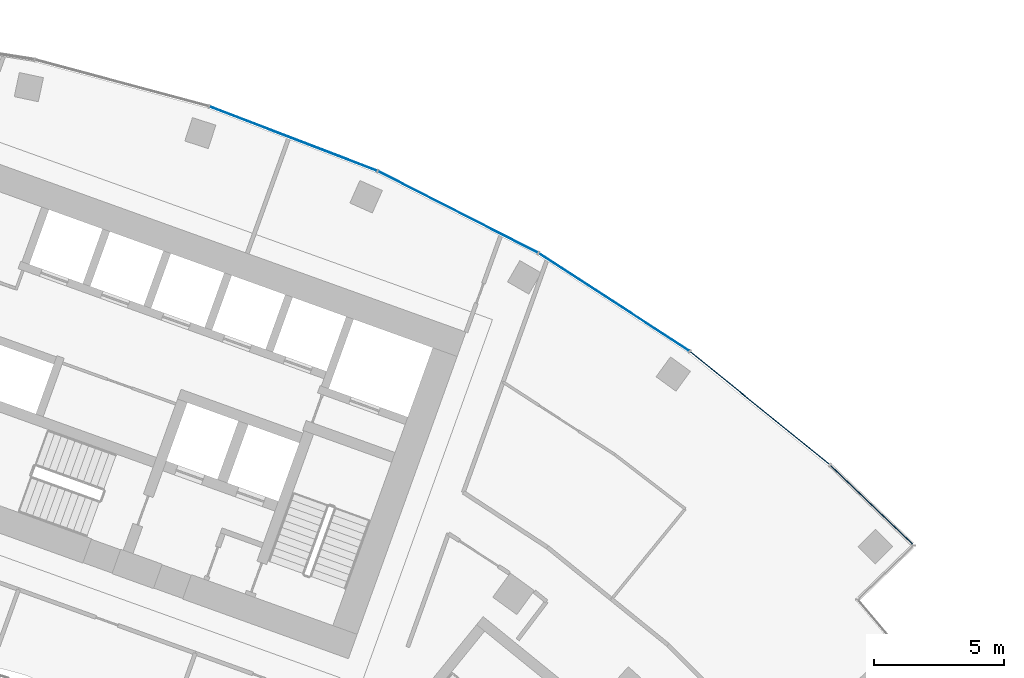
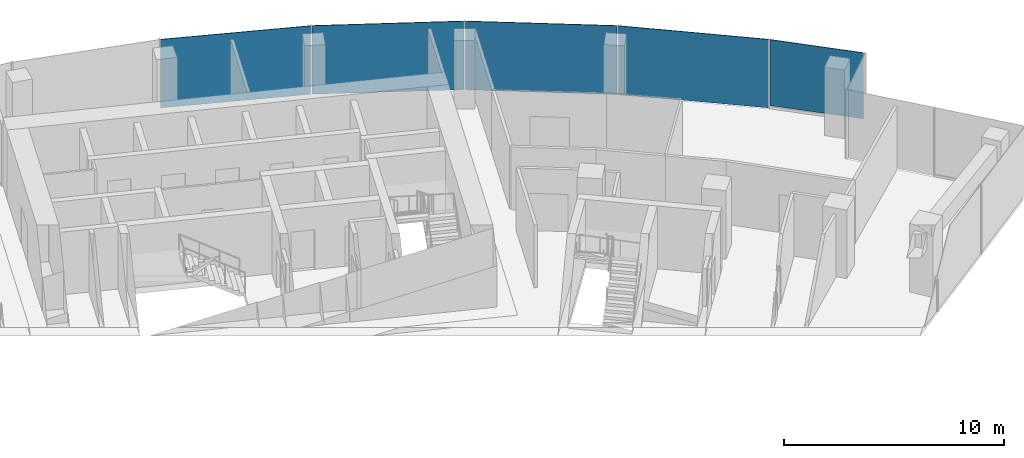
# One storey, part 11 of 19: 5 plates, 1 element without a shape of its own.
"""IFC4 building model written with IfcOpenShell, lengths in metres."""

from ifc_helpers import new_model, si_unit, direction, frame, origin, origin_2d, place, context, subcontext, project, spatial, rectangle, extrude, material, layer, layer_set, type_object, element, aggregate, save


model = new_model("IFC4")

# Units and contexts
model_context = context("Model", 3, precision=1e-05, world=origin(), true_north=direction((0.0, 1.0)))
body_context = subcontext(model_context, "Body", "Model", "MODEL_VIEW")
ifc_project = project(units=[si_unit("LENGTHUNIT", "METRE"), si_unit("AREAUNIT", "SQUARE_METRE"), si_unit("VOLUMEUNIT", "CUBIC_METRE"), si_unit("PLANEANGLEUNIT", "RADIAN"), si_unit("MASSUNIT", "GRAM", prefix="KILO")], contexts=[model_context])

# Site, building, storey
site_placement = place(None, origin())
site = spatial("IfcSite", under=ifc_project, at=site_placement, CompositionType="ELEMENT")
building_placement = place(site_placement, origin())
building = spatial("IfcBuilding", under=site, at=building_placement, Name="Stone Belt Terrace Tower", CompositionType="ELEMENT")
storey_placement = place(building_placement, frame((0.0, 0.0, 208.60009765625)))
storey = spatial("IfcBuildingStorey", under=building, at=storey_placement, Name="L50", CompositionType="ELEMENT", Elevation=208.60009765625)

# Curtain wall, plates
ifc_material_1 = material(Name="Aluminium 6063-T6 anodised frame", Category="aluminium")
ifc_layer_1 = layer(ifc_material_1, 0.14990234375)
ifc_layer_set_1 = layer_set([ifc_layer_1], Name="CW-A unitised convex-face curtain wall")
curtain_wall_type = type_object("IfcCurtainWallType", Name="CW-A unitised convex-face curtain wall", PredefinedType="NOTDEFINED", material=ifc_layer_set_1)
curtain_wall_placement = place(storey_placement, origin())
curtain_wall = element("IfcCurtainWall", 1, at=curtain_wall_placement, inside=storey, type_object=curtain_wall_type, Name="CW-A convex face L50", PredefinedType="NOTDEFINED")
ifc_material_2 = material(Name="Clear double glazed unit")
ifc_layer_2 = layer(ifc_material_2, 0.031982421875)
ifc_layer_set_2 = layer_set([ifc_layer_2], Name="CW-A glass panel 32")
plate_type = type_object("IfcPlateType", Name="CW-A glass panel 32", PredefinedType="CURTAIN_PANEL", material=ifc_layer_set_2)
plate_1_placement = place(storey_placement, frame((46.14599609375, 47.936767578125, 0.14013671875), z_axis=(0.0, 0.0, 1.0), x_axis=(-0.720604393579, 0.693346455933, 0.0)))
plate_1 = element("IfcPlate", 2, at=plate_1_placement, type_object=plate_type, Name="CW-A panel 1.1", PredefinedType="CURTAIN_PANEL", context=body_context, shape_type="SweptSolid", body=[
    extrude(rectangle(XDim=4.372314453125, YDim=0.031982421875, at=origin_2d()), origin(), (0.0, 0.0, 1.0), 3.659912109375),
])
plate_2_placement = place(storey_placement, frame((41.839599609375, 51.667724609375, 0.0), z_axis=(0.0, 0.0, 1.0), x_axis=(-0.777145961457, 0.62932039105, 0.0)))
plate_2 = element("IfcPlate", 3, at=plate_2_placement, type_object=plate_type, Name="CW-A panel 2.1", PredefinedType="CURTAIN_PANEL", context=body_context, shape_type="SweptSolid", body=[
    extrude(rectangle(XDim=6.90087890625, YDim=0.031982421875, at=origin_2d()), origin(), (0.0, 0.0, 1.0), 3.800048828125),
])
plate_3_placement = place(storey_placement, frame((36.209716796875, 55.758056640625, 0.0), z_axis=(0.0, 0.0, 1.0), x_axis=(-0.838670567945, 0.544639035015, 0.0)))
plate_3 = element("IfcPlate", 4, at=plate_3_placement, type_object=plate_type, Name="CW-A panel 3.1", PredefinedType="CURTAIN_PANEL", context=body_context, shape_type="SweptSolid", body=[
    extrude(rectangle(XDim=6.90087890625, YDim=0.031982421875, at=origin_2d()), origin(), (0.0, 0.0, 1.0), 3.800048828125),
])
plate_4_placement = place(storey_placement, frame((30.18310546875, 59.237548828125, 0.0), z_axis=(0.0, 0.0, 1.0), x_axis=(-0.891006524188, 0.45399049974, 0.0)))
plate_4 = element("IfcPlate", 5, at=plate_4_placement, type_object=plate_type, Name="CW-A panel 4.1", PredefinedType="CURTAIN_PANEL", context=body_context, shape_type="SweptSolid", body=[
    extrude(rectangle(XDim=6.90087890625, YDim=0.031982421875, at=origin_2d()), origin(), (0.0, 0.0, 1.0), 3.800048828125),
])
plate_5_placement = place(storey_placement, frame((23.82568359375, 62.068115234375, 0.0), z_axis=(0.0, 0.0, 1.0), x_axis=(-0.933580426497, 0.358367949545, 0.0)))
plate_5 = element("IfcPlate", 6, at=plate_5_placement, type_object=plate_type, Name="CW-A panel 5.1", PredefinedType="CURTAIN_PANEL", context=body_context, shape_type="SweptSolid", body=[
    extrude(rectangle(XDim=6.90087890625, YDim=0.031982421875, at=origin_2d()), origin(), (0.0, 0.0, 1.0), 3.800048828125),
])
aggregate(curtain_wall, [plate_1, plate_2, plate_3, plate_4, plate_5])

save(model, "model.ifc")
